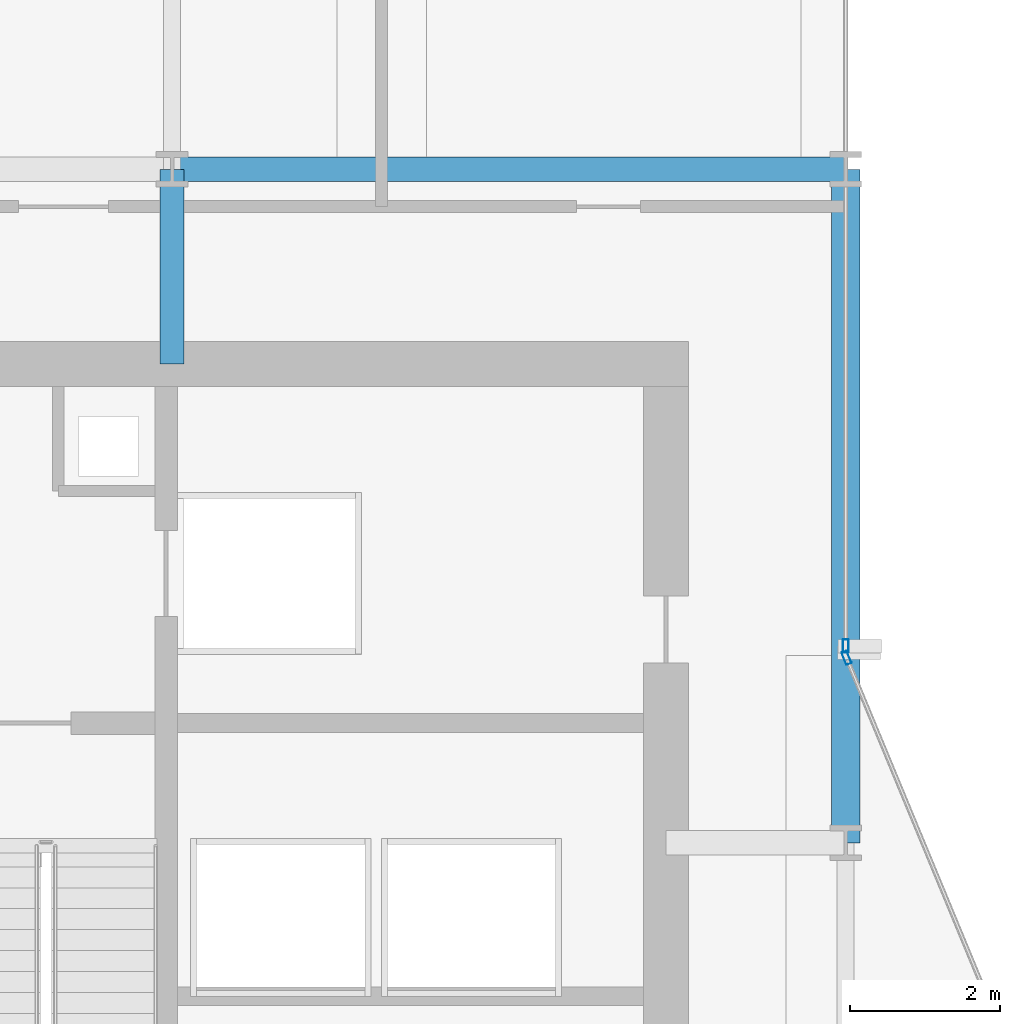
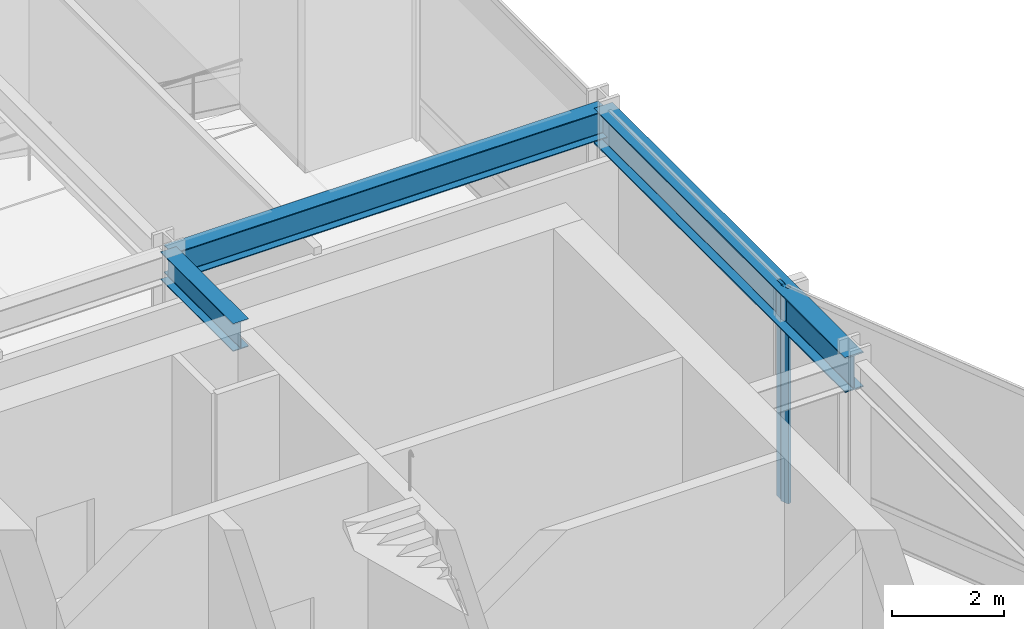
# One storey, part 23 of 39: 3 beams, 2 members, 2 elements without a shape of their own.
"""IFC4 building model written with IfcOpenShell, lengths in metres."""

from ifc_helpers import new_model, si_unit, direction, frame, origin, origin_2d, place, context, subcontext, project, spatial, hollow_rectangle, i_section, extrude, material, layer, layer_set, material_profile, profile_set, type_object, element, aggregate, save


model = new_model("IFC4")

# Units and contexts
model_context = context("Model", 3, precision=1e-05, world=origin(), true_north=direction((0.0, 1.0)))
body_context = subcontext(model_context, "Body", "Model", "MODEL_VIEW")
ifc_project = project(units=[si_unit("LENGTHUNIT", "METRE"), si_unit("AREAUNIT", "SQUARE_METRE"), si_unit("VOLUMEUNIT", "CUBIC_METRE"), si_unit("PLANEANGLEUNIT", "RADIAN"), si_unit("MASSUNIT", "GRAM", prefix="KILO")], contexts=[model_context])

# Site, building, storey
site_placement = place(None, origin())
site = spatial("IfcSite", under=ifc_project, at=site_placement, CompositionType="ELEMENT")
building_placement = place(site_placement, origin())
building = spatial("IfcBuilding", under=site, at=building_placement, Name="Solvaryn Broadcast Tower", CompositionType="ELEMENT")
storey_placement = place(building_placement, frame((0.0, 0.0, 84.10009765625)))
storey = spatial("IfcBuildingStorey", under=building, at=storey_placement, Name="L20", CompositionType="ELEMENT", Elevation=84.10009765625)

# Beams
ifc_material_1 = material(Name="Steel ASTM A992 Grade 50", Category="steel")
ifc_material_profile_1 = material_profile(ifc_material_1, i_section(OverallWidth=0.323974609375, OverallDepth=0.611083984375, WebThickness=0.0126953125, FlangeThickness=0.01904296875, FilletRadius=0.014892578125, at=origin_2d()))
ifc_profile_set_1 = profile_set([ifc_material_profile_1], Name="Steel ASTM A992 Grade 50")
beam_type_1 = type_object("IfcBeamType", Name="BM-B1-W24X104", PredefinedType="BEAM", material=ifc_profile_set_1)
beam_1_placement = place(storey_placement, frame((18.0, 45.0, 4.414306640625), z_axis=(1.0, 0.0, 0.0), x_axis=(0.0, 1.0, 0.0)))
element("IfcBeam", 1, at=beam_1_placement, inside=storey, type_object=beam_type_1, Name="L20 Primary Beam X (18-27 @ Y=45)", PredefinedType="BEAM", context=body_context, shape_type="SweptSolid", body=[
    extrude(i_section(OverallWidth=0.323974609375, OverallDepth=0.611083984375, WebThickness=0.0126953125, FlangeThickness=0.01904296875, FilletRadius=0.014892578125, at=origin_2d()), origin(), (0.0, 0.0, 1.0), 9.0),
])
beam_2_placement = place(storey_placement, frame((18.0, 42.39990234375, 4.414306640625), z_axis=(0.0, 1.0, 0.0), x_axis=(-1.0, 0.0, 0.0)))
element("IfcBeam", 2, at=beam_2_placement, inside=storey, type_object=beam_type_1, Name="L20 Core Tie Beam CTW3", PredefinedType="BEAM", context=body_context, shape_type="SweptSolid", body=[
    extrude(i_section(OverallWidth=0.323974609375, OverallDepth=0.611083984375, WebThickness=0.0126953125, FlangeThickness=0.01904296875, FilletRadius=0.014892578125, at=origin_2d()), origin(), (0.0, 0.0, 1.0), 2.60009765625),
])
ifc_material_2 = material(Name="Steel ASTM A992 Grade 50", Category="steel")
ifc_material_profile_2 = material_profile(ifc_material_2, i_section(OverallWidth=0.381103515625, OverallDepth=0.77294921875, WebThickness=0.0166015625, FlangeThickness=0.027099609375, FilletRadius=0.01806640625, at=origin_2d()))
ifc_profile_set_2 = profile_set([ifc_material_profile_2], Name="Steel ASTM A992 Grade 50")
beam_type_2 = type_object("IfcBeamType", Name="BM-SP1-W30X173", PredefinedType="USERDEFINED", material=ifc_profile_set_2)
beam_3_placement = place(storey_placement, frame((27.0, 36.0, 4.33349609375), z_axis=(0.0, 1.0, 0.0), x_axis=(-1.0, 0.0, 0.0)))
element("IfcBeam", 3, at=beam_3_placement, inside=storey, type_object=beam_type_2, Name="L20 Spandrel Beam Y (36-45 @ X=27)", ObjectType="SPANDREL", PredefinedType="USERDEFINED", context=body_context, shape_type="SweptSolid", body=[
    extrude(i_section(OverallWidth=0.381103515625, OverallDepth=0.77294921875, WebThickness=0.0166015625, FlangeThickness=0.027099609375, FilletRadius=0.01806640625, at=origin_2d()), origin(), (0.0, 0.0, 1.0), 9.0),
])

# Curtain wall, member
ifc_material_3 = material(Name="Aluminium and Terracotta Unitised Curtain Wall", Category="masonry")
ifc_layer = layer(ifc_material_3, 0.25)
ifc_layer_set = layer_set([ifc_layer], Name="CW-SYS4-SKYGARDEN")
curtain_wall_type = type_object("IfcCurtainWallType", Name="CW-SYS4-SKYGARDEN", PredefinedType="NOTDEFINED", material=ifc_layer_set)
curtain_wall_1_placement = place(storey_placement, origin())
curtain_wall_1 = element("IfcCurtainWall", 4, at=curtain_wall_1_placement, inside=storey, type_object=curtain_wall_type, Name="L20 Curtain Wall IV", PredefinedType="NOTDEFINED")
ifc_material_4 = material(Name="Anodised Aluminium 6063-T6", Category="aluminium")
ifc_material_profile_3 = material_profile(ifc_material_4, hollow_rectangle(XDim=0.074951171875, YDim=0.179931640625, WallThickness=0.00390625, InnerFilletRadius=0.00390625, OuterFilletRadius=0.008056640625, at=origin_2d()))
ifc_profile_set_3 = profile_set([ifc_material_profile_3], Name="Anodised Aluminium 6063-T6")
member_type = type_object("IfcMemberType", Name="CW-MUL-180", PredefinedType="MULLION", material=ifc_profile_set_3)
member_1_placement = place(storey_placement, frame((27.0, 38.6298828125, 0.0), z_axis=(0.0, 0.0, 1.0), x_axis=(1.0, 0.0, 0.0)))
member_1 = element("IfcMember", 5, at=member_1_placement, type_object=member_type, Name="CWS4 mullion 2", PredefinedType="MULLION", context=body_context, shape_type="SweptSolid", body=[
    extrude(hollow_rectangle(XDim=0.074951171875, YDim=0.179931640625, WallThickness=0.00390625, InnerFilletRadius=0.00390625, OuterFilletRadius=0.008056640625, at=origin_2d()), origin(), (0.0, 0.0, 1.0), 4.719970703125),
])
aggregate(curtain_wall_1, [member_1])

curtain_wall_2_placement = place(storey_placement, origin())
curtain_wall_2 = element("IfcCurtainWall", 6, at=curtain_wall_2_placement, inside=storey, type_object=curtain_wall_type, Name="L20 Curtain Wall CN2", PredefinedType="NOTDEFINED")
member_2_placement = place(storey_placement, frame((27.011474609375, 38.47216796875, 0.0), z_axis=(0.0, 0.0, 1.0), x_axis=(-0.923894983957, -0.382646127145, 0.0)))
member_2 = element("IfcMember", 7, at=member_2_placement, type_object=member_type, Name="CWS4 mullion 2", PredefinedType="MULLION", context=body_context, shape_type="SweptSolid", body=[
    extrude(hollow_rectangle(XDim=0.074951171875, YDim=0.179931640625, WallThickness=0.00390625, InnerFilletRadius=0.00390625, OuterFilletRadius=0.008056640625, at=origin_2d()), origin(), (0.0, 0.0, 1.0), 4.719970703125),
])
aggregate(curtain_wall_2, [member_2])

save(model, "model.ifc")
